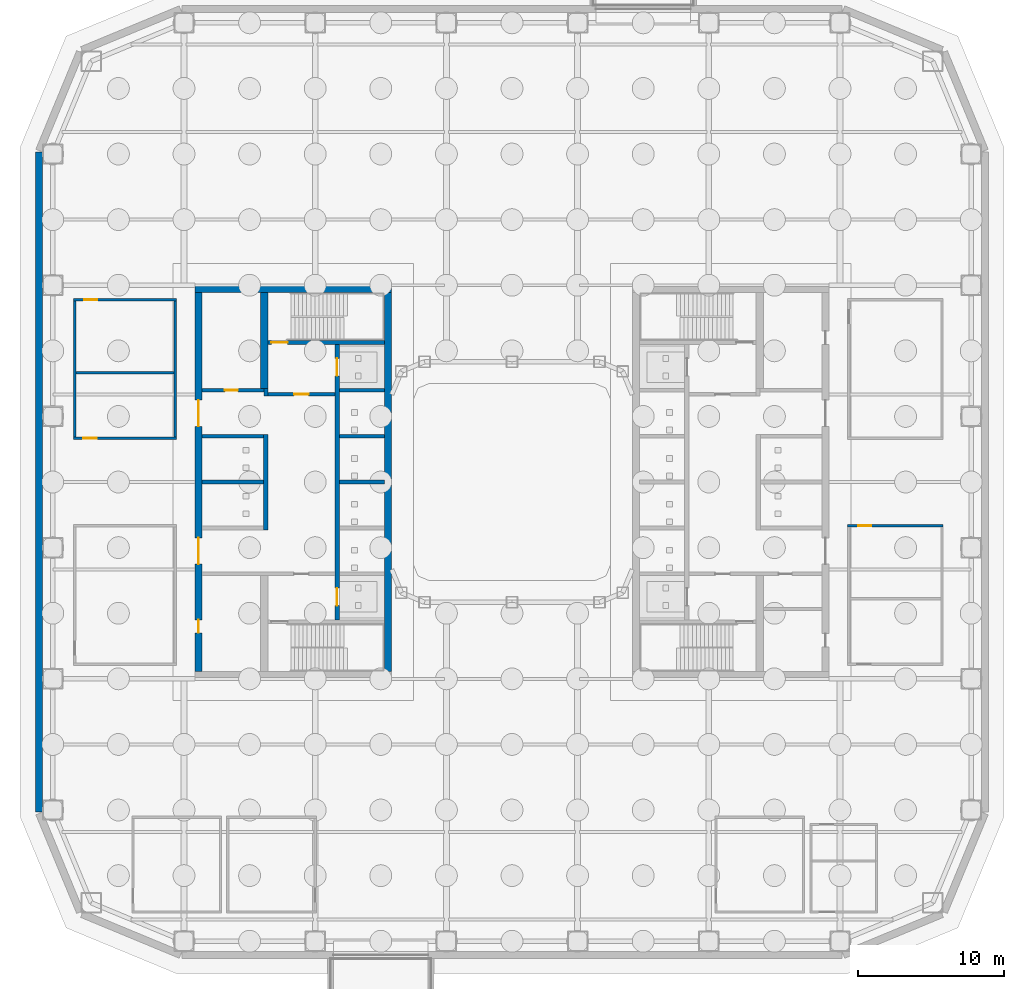
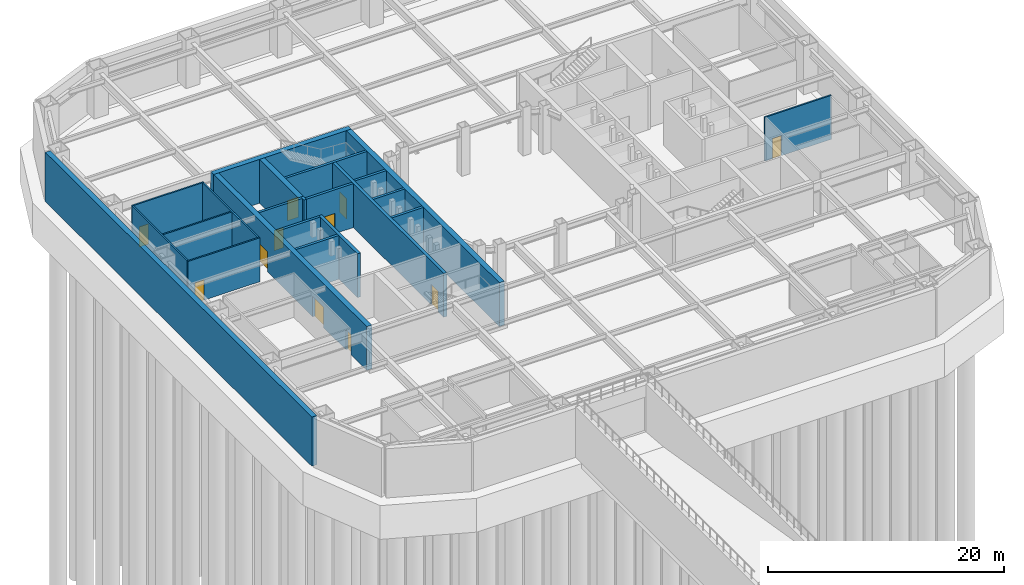
# One storey, part 5 of 10: 22 walls, 11 doors, 11 openings.
"""IFC4 building model written with IfcOpenShell, lengths in metres."""

from ifc_helpers import new_model, si_unit, direction, frame, frame_2d, origin, place, context, subcontext, project, spatial, rectangle, extrude, material, layer, layer_set, type_object, element, fill, save


model = new_model("IFC4")

# Units and contexts
model_context = context("Model", 3, precision=1e-05, world=origin(), true_north=direction((0.0, 1.0)))
body_context = subcontext(model_context, "Body", "Model", "MODEL_VIEW")
ifc_project = project(units=[si_unit("LENGTHUNIT", "METRE"), si_unit("AREAUNIT", "SQUARE_METRE"), si_unit("VOLUMEUNIT", "CUBIC_METRE"), si_unit("PLANEANGLEUNIT", "RADIAN"), si_unit("MASSUNIT", "GRAM", prefix="KILO")], contexts=[model_context])

# Site, building, storey
site_placement = place(None, origin())
site = spatial("IfcSite", under=ifc_project, at=site_placement, CompositionType="ELEMENT")
building_placement = place(site_placement, origin())
building = spatial("IfcBuilding", under=site, at=building_placement, Name="Siwar Civic Tower", CompositionType="ELEMENT")
storey_placement = place(building_placement, frame((0.0, 0.0, -5.0)))
storey = spatial("IfcBuildingStorey", under=building, at=storey_placement, Name="B1", CompositionType="ELEMENT", Elevation=-5.0)

# Wall, opening, door
ifc_material_1 = material(Name="Gypsum board on steel studs", Category="steel")
ifc_layer_1 = layer(ifc_material_1, 0.14990234375)
ifc_layer_set_1 = layer_set([ifc_layer_1], Name="Gypsum board on steel studs")
wall_type_1 = type_object("IfcWallType", Name="COMPARTMENT PARTITION 150 EI 60", PredefinedType="PARTITIONING", material=ifc_layer_set_1)
wall_1_placement = place(storey_placement, frame((23.02490234375, -3.0, 0.0), z_axis=(0.0, 0.0, 1.0), x_axis=(1.0, 0.0, 0.0)))
wall_1 = element("IfcWall", 1, at=wall_1_placement, inside=storey, type_object=wall_type_1, Name="B1/wall/P14", PredefinedType="PARTITIONING", context=body_context, shape_type="SweptSolid", body=[
    extrude(rectangle(XDim=6.550048828125, YDim=0.14990234375, at=frame_2d((3.27490234375, 0.0))), origin(), (0.0, 0.0, 1.0), 4.550048828125),
])
opening_1_placement = place(wall_1_placement, frame((0.72509765625, 0.0, 0.0)))
opening_1 = element("IfcOpeningElement", 2, at=opening_1_placement, cuts=wall_1, Name="Opening D4", PredefinedType="OPENING", context=body_context, shape_type="SweptSolid", body=[
    extrude(rectangle(XDim=0.89990234375, YDim=2.10009765625, at=frame_2d((0.449951171875, 1.050048828125))), frame((0.0, 0.0849609375, 0.0), z_axis=(0.0, -1.0, 0.0), x_axis=(1.0, 0.0, 0.0)), (0.0, 0.0, 1.0), 0.169921875),
])
ifc_material_2 = material(Name="Timber, painted", Category="wood")
door_type_1 = type_object("IfcDoorType", Name="DOOR 900 X 2100 FD60", OperationType="SINGLE_SWING_LEFT", PredefinedType="DOOR", material=ifc_material_2)
door_1_placement = place(opening_1_placement, origin())
door_1 = element("IfcDoor", 3, at=door_1_placement, inside=storey, type_object=door_type_1, Name="B1-D05", OperationType="SINGLE_SWING_LEFT", OverallHeight=2.10009765625, OverallWidth=0.89990234375, PredefinedType="DOOR", context=body_context, shape_type="SweptSolid", body=[
    extrude(rectangle(XDim=0.89990234375, YDim=2.10009765625, at=frame_2d((0.449951171875, 1.050048828125))), frame((0.0, 0.02490234375, 0.0), z_axis=(0.0, -1.0, 0.0), x_axis=(1.0, 0.0, 0.0)), (0.0, 0.0, 1.0), 0.050048828125),
])
fill(opening_1, door_1)

wall_2_placement = place(storey_placement, frame((-30.074951171875, 3.0, 0.0), z_axis=(0.0, 0.0, 1.0), x_axis=(1.0, 0.0, 0.0)))
wall_2 = element("IfcWall", 4, at=wall_2_placement, inside=storey, type_object=wall_type_1, Name="B1/wall/P15", PredefinedType="PARTITIONING", context=body_context, shape_type="SweptSolid", body=[
    extrude(rectangle(XDim=7.050048828125, YDim=0.14990234375, at=frame_2d((3.52490234375, 0.0))), origin(), (0.0, 0.0, 1.0), 4.550048828125),
])
opening_2_placement = place(wall_2_placement, frame((0.675048828125, 0.0, 0.0)))
opening_2 = element("IfcOpeningElement", 5, at=opening_2_placement, cuts=wall_2, Name="Opening D4", PredefinedType="OPENING", context=body_context, shape_type="SweptSolid", body=[
    extrude(rectangle(XDim=0.89990234375, YDim=2.10009765625, at=frame_2d((0.449951171875, 1.050048828125))), frame((0.0, 0.0849609375, 0.0), z_axis=(0.0, -1.0, 0.0), x_axis=(1.0, 0.0, 0.0)), (0.0, 0.0, 1.0), 0.169921875),
])
door_2_placement = place(opening_2_placement, origin())
door_2 = element("IfcDoor", 6, at=door_2_placement, inside=storey, type_object=door_type_1, Name="B1-D02", OperationType="SINGLE_SWING_RIGHT", OverallHeight=2.10009765625, OverallWidth=0.89990234375, PredefinedType="DOOR", context=body_context, shape_type="SweptSolid", body=[
    extrude(rectangle(XDim=0.89990234375, YDim=2.10009765625, at=frame_2d((0.449951171875, 1.050048828125))), frame((0.0, 0.02490234375, 0.0), z_axis=(0.0, -1.0, 0.0), x_axis=(1.0, 0.0, 0.0)), (0.0, 0.0, 1.0), 0.050048828125),
])
fill(opening_2, door_2)

# Wall
wall_3_placement = place(storey_placement, frame((-29.925048828125, 7.5, 0.0), z_axis=(0.0, 0.0, 1.0), x_axis=(1.0, 0.0, 0.0)))
element("IfcWall", 7, at=wall_3_placement, inside=storey, type_object=wall_type_1, Name="B1/wall/P17", PredefinedType="PARTITIONING", context=body_context, shape_type="SweptSolid", body=[
    extrude(rectangle(XDim=6.75, YDim=0.14990234375, at=frame_2d((3.375, 0.0))), origin(), (0.0, 0.0, 1.0), 4.550048828125),
])

# Wall, opening, door
wall_4_placement = place(storey_placement, frame((-30.074951171875, 12.5, 0.0), z_axis=(0.0, 0.0, 1.0), x_axis=(1.0, 0.0, 0.0)))
wall_4 = element("IfcWall", 8, at=wall_4_placement, inside=storey, type_object=wall_type_1, Name="B1/wall/P18", PredefinedType="PARTITIONING", context=body_context, shape_type="SweptSolid", body=[
    extrude(rectangle(XDim=7.050048828125, YDim=0.14990234375, at=frame_2d((3.52490234375, 0.0))), origin(), (0.0, 0.0, 1.0), 4.550048828125),
])
opening_3_placement = place(wall_4_placement, frame((0.72509765625, 0.0, 0.0)))
opening_3 = element("IfcOpeningElement", 9, at=opening_3_placement, cuts=wall_4, Name="Opening D4", PredefinedType="OPENING", context=body_context, shape_type="SweptSolid", body=[
    extrude(rectangle(XDim=0.89990234375, YDim=2.10009765625, at=frame_2d((0.449951171875, 1.050048828125))), frame((0.0, 0.0849609375, 0.0), z_axis=(0.0, -1.0, 0.0), x_axis=(1.0, 0.0, 0.0)), (0.0, 0.0, 1.0), 0.169921875),
])
door_3_placement = place(opening_3_placement, origin())
door_3 = element("IfcDoor", 10, at=door_3_placement, inside=storey, type_object=door_type_1, Name="B1-D03", OperationType="SINGLE_SWING_LEFT", OverallHeight=2.10009765625, OverallWidth=0.89990234375, PredefinedType="DOOR", context=body_context, shape_type="SweptSolid", body=[
    extrude(rectangle(XDim=0.89990234375, YDim=2.10009765625, at=frame_2d((0.449951171875, 1.050048828125))), frame((0.0, 0.02490234375, 0.0), z_axis=(0.0, -1.0, 0.0), x_axis=(1.0, 0.0, 0.0)), (0.0, 0.0, 1.0), 0.050048828125),
])
fill(opening_3, door_3)

# Walls
for number, where, z_axis, x_axis, name in (
    (11, (-30.0, 3.074951171875, 0.0), (0.0, 0.0, 1.0), (0.0, 1.0, 0.0), "B1/wall/P21"),
    (12, (-23.10009765625, 3.074951171875, 0.0), (0.0, 0.0, 1.0), (0.0, 1.0, 0.0), "B1/wall/P24"),
):
    element("IfcWall", number, at=place(storey_placement, frame(where, z_axis=z_axis, x_axis=x_axis)), inside=storey, type_object=wall_type_1, Name=name, PredefinedType="PARTITIONING", context=body_context, shape_type="SweptSolid", body=[
        extrude(rectangle(XDim=9.35009765625, YDim=0.14990234375, at=frame_2d((4.675048828125, 0.0))), origin(), (0.0, 0.0, 1.0), 4.550048828125),
    ])

# Wall, opening, door
ifc_material_3 = material(Name="Concrete C60/75", Category="concrete")
ifc_layer_2 = layer(ifc_material_3, 0.25)
ifc_layer_set_2 = layer_set([ifc_layer_2], Name="Concrete C60/75")
wall_type_2 = type_object("IfcWallType", Name="CORE-WALL-RC250", PredefinedType="SHEAR", material=ifc_layer_set_2)
wall_5_placement = place(storey_placement, frame((-12.14990234375, 6.02490234375, 0.0), z_axis=(0.0, 0.0, 1.0), x_axis=(-1.0, 0.0, 0.0)))
wall_5 = element("IfcWall", 13, at=wall_5_placement, inside=storey, type_object=wall_type_2, Name="Core wall W", PredefinedType="SHEAR", context=body_context, shape_type="SweptSolid", body=[
    extrude(rectangle(XDim=4.60009765625, YDim=0.25, at=frame_2d((2.300048828125, 0.0))), origin(), (0.0, 0.0, 1.0), 4.550048828125),
])
opening_4_placement = place(wall_5_placement, frame((1.800048828125, 0.0, 0.0)))
opening_4 = element("IfcOpeningElement", 14, at=opening_4_placement, cuts=wall_5, Name="Opening B1-CW01", PredefinedType="OPENING", context=body_context, shape_type="SweptSolid", body=[
    extrude(rectangle(XDim=1.0, YDim=2.10009765625, at=frame_2d((0.5, 1.050048828125))), frame((0.0, 0.135009765625, 0.0), z_axis=(0.0, -1.0, 0.0), x_axis=(1.0, 0.0, 0.0)), (0.0, 0.0, 1.0), 0.27001953125),
])
ifc_material_4 = material(Name="Steel door leaf", Category="steel")
door_type_2 = type_object("IfcDoorType", Name="CORE-DOOR-FD30S", OperationType="SINGLE_SWING_LEFT", PredefinedType="DOOR", material=ifc_material_4)
door_4_placement = place(opening_4_placement, origin())
door_4 = element("IfcDoor", 15, at=door_4_placement, inside=storey, type_object=door_type_2, Name="Firefighting lobby door B1-CW01", OperationType="SINGLE_SWING_LEFT", OverallHeight=2.10009765625, OverallWidth=1.0, PredefinedType="DOOR", context=body_context, shape_type="SweptSolid", body=[
    extrude(rectangle(XDim=1.0, YDim=2.10009765625, at=frame_2d((0.5, 1.050048828125))), frame((0.0, 0.02490234375, 0.0), z_axis=(0.0, -1.0, 0.0), x_axis=(1.0, 0.0, 0.0)), (0.0, 0.0, 1.0), 0.050048828125),
])
fill(opening_4, door_4)

# Wall
wall_6_placement = place(storey_placement, frame((-16.875, 5.89990234375, 0.0), z_axis=(0.0, 0.0, 1.0), x_axis=(0.0, 1.0, 0.0)))
element("IfcWall", 16, at=wall_6_placement, inside=storey, type_object=wall_type_2, Name="Core wall W", PredefinedType="SHEAR", context=body_context, shape_type="SweptSolid", body=[
    extrude(rectangle(XDim=0.525146484375, YDim=0.25, at=frame_2d((0.2626953125, 0.0))), origin(), (0.0, 0.0, 1.0), 4.550048828125),
])

# Wall, opening, door
wall_7_placement = place(storey_placement, frame((-17.0, 6.300048828125, 0.0), z_axis=(0.0, 0.0, 1.0), x_axis=(-1.0, 0.0, 0.0)))
wall_7 = element("IfcWall", 17, at=wall_7_placement, inside=storey, type_object=wall_type_2, Name="Core wall W", PredefinedType="SHEAR", context=body_context, shape_type="SweptSolid", body=[
    extrude(rectangle(XDim=4.25, YDim=0.25, at=frame_2d((2.125, 0.0))), origin(), (0.0, 0.0, 1.0), 4.550048828125),
])
opening_5_placement = place(wall_7_placement, frame((1.800048828125, 0.0, 0.0)))
opening_5 = element("IfcOpeningElement", 18, at=opening_5_placement, cuts=wall_7, Name="Opening B1-CW09", PredefinedType="OPENING", context=body_context, shape_type="SweptSolid", body=[
    extrude(rectangle(XDim=0.89990234375, YDim=2.10009765625, at=frame_2d((0.449951171875, 1.050048828125))), frame((0.0, 0.135009765625, 0.0), z_axis=(0.0, -1.0, 0.0), x_axis=(1.0, 0.0, 0.0)), (0.0, 0.0, 1.0), 0.27001953125),
])
ifc_material_5 = material(Name="Steel door leaf", Category="steel")
door_type_3 = type_object("IfcDoorType", Name="CORE-DOOR-ROOM", OperationType="SINGLE_SWING_LEFT", PredefinedType="DOOR", material=ifc_material_5)
door_5_placement = place(opening_5_placement, origin())
door_5 = element("IfcDoor", 19, at=door_5_placement, inside=storey, type_object=door_type_3, Name="Core room door B1-CW09", OperationType="SINGLE_SWING_LEFT", OverallHeight=2.10009765625, OverallWidth=0.89990234375, PredefinedType="DOOR", context=body_context, shape_type="SweptSolid", body=[
    extrude(rectangle(XDim=0.89990234375, YDim=2.10009765625, at=frame_2d((0.449951171875, 1.050048828125))), frame((0.0, 0.02490234375, 0.0), z_axis=(0.0, -1.0, 0.0), x_axis=(1.0, 0.0, 0.0)), (0.0, 0.0, 1.0), 0.050048828125),
])
fill(opening_5, door_5)

# Walls
for number, where, z_axis, x_axis, name in (
    (20, (-17.050048828125, 0.0, 0.0), (0.0, 0.0, 1.0), (-1.0, 0.0, 0.0), "Core wall W"),
    (21, (-17.050048828125, 3.14990234375, 0.0), (0.0, 0.0, 1.0), (-1.0, 0.0, 0.0), "Core wall W"),
):
    element("IfcWall", number, at=place(storey_placement, frame(where, z_axis=z_axis, x_axis=x_axis)), inside=storey, type_object=wall_type_2, Name=name, PredefinedType="SHEAR", context=body_context, shape_type="SweptSolid", body=[
        extrude(rectangle(XDim=4.199951171875, YDim=0.25, at=frame_2d((2.10009765625, 0.0))), origin(), (0.0, 0.0, 1.0), 4.550048828125),
    ])
for number, where, z_axis, x_axis, name in (
    (22, (-8.75, 0.0, 0.0), (0.0, 0.0, 1.0), (-1.0, 0.0, 0.0), "Core wall W"),
    (23, (-8.75, 3.14990234375, 0.0), (0.0, 0.0, 1.0), (-1.0, 0.0, 0.0), "Core wall W"),
    (24, (-8.75, 6.300048828125, 0.0), (0.0, 0.0, 1.0), (-1.0, 0.0, 0.0), "Core wall W"),
):
    element("IfcWall", number, at=place(storey_placement, frame(where, z_axis=z_axis, x_axis=x_axis)), inside=storey, type_object=wall_type_2, Name=name, PredefinedType="SHEAR", context=body_context, shape_type="SweptSolid", body=[
        extrude(rectangle(XDim=3.10009765625, YDim=0.25, at=frame_2d((1.550048828125, 0.0))), origin(), (0.0, 0.0, 1.0), 4.550048828125),
    ])

# Wall, opening, door
wall_8_placement = place(storey_placement, frame((-8.75, 9.574951171875, 0.0), z_axis=(0.0, 0.0, 1.0), x_axis=(-1.0, 0.0, 0.0)))
wall_8 = element("IfcWall", 25, at=wall_8_placement, inside=storey, type_object=wall_type_2, Name="Core wall W", PredefinedType="SHEAR", context=body_context, shape_type="SweptSolid", body=[
    extrude(rectangle(XDim=8.0, YDim=0.25, at=frame_2d((4.0, 0.0))), origin(), (0.0, 0.0, 1.0), 4.550048828125),
])
opening_6_placement = place(wall_8_placement, frame((6.64990234375, 0.0, 0.0)))
opening_6 = element("IfcOpeningElement", 26, at=opening_6_placement, cuts=wall_8, Name="Opening B1-CW03", PredefinedType="OPENING", context=body_context, shape_type="SweptSolid", body=[
    extrude(rectangle(XDim=1.10009765625, YDim=2.10009765625, at=frame_2d((0.550048828125, 1.050048828125))), frame((0.0, 0.135009765625, 0.0), z_axis=(0.0, -1.0, 0.0), x_axis=(1.0, 0.0, 0.0)), (0.0, 0.0, 1.0), 0.27001953125),
])
ifc_material_6 = material(Name="Steel door leaf", Category="steel")
door_type_4 = type_object("IfcDoorType", Name="CORE-DOOR-FD60S", OperationType="SINGLE_SWING_LEFT", PredefinedType="DOOR", material=ifc_material_6)
door_6_placement = place(opening_6_placement, origin())
door_6 = element("IfcDoor", 27, at=door_6_placement, inside=storey, type_object=door_type_4, Name="Stair door B1-CW03", OperationType="SINGLE_SWING_RIGHT", OverallHeight=2.10009765625, OverallWidth=1.10009765625, PredefinedType="DOOR", context=body_context, shape_type="SweptSolid", body=[
    extrude(rectangle(XDim=1.10009765625, YDim=2.10009765625, at=frame_2d((0.550048828125, 1.050048828125))), frame((0.0, 0.02490234375, 0.0), z_axis=(0.0, -1.0, 0.0), x_axis=(1.0, 0.0, 0.0)), (0.0, 0.0, 1.0), 0.050048828125),
])
fill(opening_6, door_6)

# Wall, openings, doors
ifc_material_7 = material(Name="Concrete C60/75", Category="concrete")
ifc_layer_3 = layer(ifc_material_7, 0.300048828125)
ifc_layer_set_3 = layer_set([ifc_layer_3], Name="Concrete C60/75")
wall_type_3 = type_object("IfcWallType", Name="CORE-WALL-RC300", PredefinedType="SHEAR", material=ifc_layer_set_3)
wall_9_placement = place(storey_placement, frame((-12.0, -9.449951171875, 0.0), z_axis=(0.0, 0.0, 1.0), x_axis=(0.0, 1.0, 0.0)))
wall_9 = element("IfcWall", 28, at=wall_9_placement, inside=storey, type_object=wall_type_3, Name="Core wall W", PredefinedType="SHEAR", context=body_context, shape_type="SweptSolid", body=[
    extrude(rectangle(XDim=18.89990234375, YDim=0.300048828125, at=frame_2d((9.449951171875, 0.0))), origin(), (0.0, 0.0, 1.0), 4.550048828125),
])
opening_7_placement = place(wall_9_placement, frame((16.72509765625, 0.0, 0.0)))
opening_7 = element("IfcOpeningElement", 29, at=opening_7_placement, cuts=wall_9, Name="Opening B1-CW07", PredefinedType="OPENING", context=body_context, shape_type="SweptSolid", body=[
    extrude(rectangle(XDim=1.199951171875, YDim=2.10009765625, at=frame_2d((0.60009765625, 1.050048828125))), frame((0.0, 0.16015625, 0.0), z_axis=(0.0, -1.0, 0.0), x_axis=(1.0, 0.0, 0.0)), (0.0, 0.0, 1.0), 0.320068359375),
])
opening_8_placement = place(wall_9_placement, frame((0.97509765625, 0.0, 0.0)))
opening_8 = element("IfcOpeningElement", 30, at=opening_8_placement, cuts=wall_9, Name="Opening B1-CW08", PredefinedType="OPENING", context=body_context, shape_type="SweptSolid", body=[
    extrude(rectangle(XDim=1.199951171875, YDim=2.10009765625, at=frame_2d((0.60009765625, 1.050048828125))), frame((0.0, 0.16015625, 0.0), z_axis=(0.0, -1.0, 0.0), x_axis=(1.0, 0.0, 0.0)), (0.0, 0.0, 1.0), 0.320068359375),
])
ifc_material_8 = material(Name="Steel door leaf", Category="steel")
door_type_5 = type_object("IfcDoorType", Name="CORE-DOOR-LDW", OperationType="DOUBLE_DOOR_SLIDING", PredefinedType="DOOR", material=ifc_material_8)
door_7_placement = place(opening_7_placement, origin())
door_7 = element("IfcDoor", 31, at=door_7_placement, inside=storey, type_object=door_type_5, Name="Landing door FF1 B1-CW07", OperationType="DOUBLE_DOOR_SLIDING", OverallHeight=2.10009765625, OverallWidth=1.199951171875, PredefinedType="DOOR", context=body_context, shape_type="SweptSolid", body=[
    extrude(rectangle(XDim=1.199951171875, YDim=2.10009765625, at=frame_2d((0.60009765625, 1.050048828125))), frame((0.0, 0.02490234375, 0.0), z_axis=(0.0, -1.0, 0.0), x_axis=(1.0, 0.0, 0.0)), (0.0, 0.0, 1.0), 0.050048828125),
])
fill(opening_7, door_7)
door_8_placement = place(opening_8_placement, origin())
door_8 = element("IfcDoor", 32, at=door_8_placement, inside=storey, type_object=door_type_5, Name="Landing door SV1 B1-CW08", OperationType="DOUBLE_DOOR_SLIDING", OverallHeight=2.10009765625, OverallWidth=1.199951171875, PredefinedType="DOOR", context=body_context, shape_type="SweptSolid", body=[
    extrude(rectangle(XDim=1.199951171875, YDim=2.10009765625, at=frame_2d((0.60009765625, 1.050048828125))), frame((0.0, 0.02490234375, 0.0), z_axis=(0.0, -1.0, 0.0), x_axis=(1.0, 0.0, 0.0)), (0.0, 0.0, 1.0), 0.050048828125),
])
fill(opening_8, door_8)

# Wall
wall_10_placement = place(storey_placement, frame((-16.89990234375, -3.27490234375, 0.0), z_axis=(0.0, 0.0, 1.0), x_axis=(0.0, 1.0, 0.0)))
element("IfcWall", 33, at=wall_10_placement, inside=storey, type_object=wall_type_3, Name="Core wall W", PredefinedType="SHEAR", context=body_context, shape_type="SweptSolid", body=[
    extrude(rectangle(XDim=6.5498046875, YDim=0.300048828125, at=frame_2d((3.27490234375, 0.0))), origin(), (0.0, 0.0, 1.0), 4.550048828125),
])

# Wall, openings, doors
ifc_material_9 = material(Name="Concrete C60/75", Category="concrete")
ifc_layer_4 = layer(ifc_material_9, 0.5)
ifc_layer_set_4 = layer_set([ifc_layer_4], Name="Concrete C60/75")
wall_type_4 = type_object("IfcWallType", Name="CORE-WALL-RC500", PredefinedType="SHEAR", material=ifc_layer_set_4)
wall_11_placement = place(storey_placement, frame((-21.5, -13.0, 0.0), z_axis=(0.0, 0.0, 1.0), x_axis=(0.0, 1.0, 0.0)))
wall_11 = element("IfcWall", 34, at=wall_11_placement, inside=storey, type_object=wall_type_4, Name="Core wall W", PredefinedType="SHEAR", context=body_context, shape_type="SweptSolid", body=[
    extrude(rectangle(XDim=26.0, YDim=0.5, at=frame_2d((13.0, 0.0))), origin(), (0.0, 0.0, 1.0), 4.550048828125),
])
opening_9_placement = place(wall_11_placement, frame((16.824951171875, 0.0, 0.0)))
opening_9 = element("IfcOpeningElement", 35, at=opening_9_placement, cuts=wall_11, Name="Opening B1-CW05", PredefinedType="OPENING", context=body_context, shape_type="SweptSolid", body=[
    extrude(rectangle(XDim=1.800048828125, YDim=2.10009765625, at=frame_2d((0.89990234375, 1.050048828125))), frame((0.0, 0.260009765625, 0.0), z_axis=(0.0, -1.0, 0.0), x_axis=(1.0, 0.0, 0.0)), (0.0, 0.0, 1.0), 0.52001953125),
])
opening_10_placement = place(wall_11_placement, frame((7.375, 0.0, 0.0)))
opening_10 = element("IfcOpeningElement", 36, at=opening_10_placement, cuts=wall_11, Name="Opening B1-CW06", PredefinedType="OPENING", context=body_context, shape_type="SweptSolid", body=[
    extrude(rectangle(XDim=1.800048828125, YDim=2.10009765625, at=frame_2d((0.89990234375, 1.050048828125))), frame((0.0, 0.260009765625, 0.0), z_axis=(0.0, -1.0, 0.0), x_axis=(1.0, 0.0, 0.0)), (0.0, 0.0, 1.0), 0.52001953125),
])
opening_11_placement = place(wall_11_placement, frame((2.64990234375, 0.0, 0.0)))
opening_11 = element("IfcOpeningElement", 37, at=opening_11_placement, cuts=wall_11, Name="Opening B1-CW10", PredefinedType="OPENING", context=body_context, shape_type="SweptSolid", body=[
    extrude(rectangle(XDim=0.89990234375, YDim=2.10009765625, at=frame_2d((0.449951171875, 1.050048828125))), frame((0.0, 0.260009765625, 0.0), z_axis=(0.0, -1.0, 0.0), x_axis=(1.0, 0.0, 0.0)), (0.0, 0.0, 1.0), 0.52001953125),
])
ifc_material_10 = material(Name="Steel door leaf", Category="steel")
door_type_6 = type_object("IfcDoorType", Name="CORE-DOOR-PORT", OperationType="DOUBLE_DOOR_DOUBLE_SWING", PredefinedType="DOOR", material=ifc_material_10)
door_9_placement = place(opening_9_placement, origin())
door_9 = element("IfcDoor", 38, at=door_9_placement, inside=storey, type_object=door_type_6, Name="Core entrance door B1-CW05", OperationType="DOUBLE_DOOR_DOUBLE_SWING", OverallHeight=2.10009765625, OverallWidth=1.800048828125, PredefinedType="DOOR", context=body_context, shape_type="SweptSolid", body=[
    extrude(rectangle(XDim=1.800048828125, YDim=2.10009765625, at=frame_2d((0.89990234375, 1.050048828125))), frame((0.0, 0.02490234375, 0.0), z_axis=(0.0, -1.0, 0.0), x_axis=(1.0, 0.0, 0.0)), (0.0, 0.0, 1.0), 0.050048828125),
])
fill(opening_9, door_9)
door_10_placement = place(opening_10_placement, origin())
door_10 = element("IfcDoor", 39, at=door_10_placement, inside=storey, type_object=door_type_6, Name="Core entrance door B1-CW06", OperationType="DOUBLE_DOOR_DOUBLE_SWING", OverallHeight=2.10009765625, OverallWidth=1.800048828125, PredefinedType="DOOR", context=body_context, shape_type="SweptSolid", body=[
    extrude(rectangle(XDim=1.800048828125, YDim=2.10009765625, at=frame_2d((0.89990234375, 1.050048828125))), frame((0.0, 0.02490234375, 0.0), z_axis=(0.0, -1.0, 0.0), x_axis=(1.0, 0.0, 0.0)), (0.0, 0.0, 1.0), 0.050048828125),
])
fill(opening_10, door_10)
door_11_placement = place(opening_11_placement, origin())
door_11 = element("IfcDoor", 40, at=door_11_placement, inside=storey, type_object=door_type_3, Name="Core room door B1-CW10", OperationType="SINGLE_SWING_LEFT", OverallHeight=2.10009765625, OverallWidth=0.89990234375, PredefinedType="DOOR", context=body_context, shape_type="SweptSolid", body=[
    extrude(rectangle(XDim=0.89990234375, YDim=2.10009765625, at=frame_2d((0.449951171875, 1.050048828125))), frame((0.0, 0.02490234375, 0.0), z_axis=(0.0, -1.0, 0.0), x_axis=(1.0, 0.0, 0.0)), (0.0, 0.0, 1.0), 0.050048828125),
])
fill(opening_11, door_11)

# Walls
wall_12_placement = place(storey_placement, frame((-17.0, 6.425048828125, 0.0), z_axis=(0.0, 0.0, 1.0), x_axis=(0.0, 1.0, 0.0)))
element("IfcWall", 41, at=wall_12_placement, inside=storey, type_object=wall_type_4, Name="Core wall W", PredefinedType="SHEAR", context=body_context, shape_type="SweptSolid", body=[
    extrude(rectangle(XDim=6.574951171875, YDim=0.5, at=frame_2d((3.28759765625, 0.0))), origin(), (0.0, 0.0, 1.0), 4.550048828125),
])
wall_13_placement = place(storey_placement, frame((-8.25, 13.25, 0.0), z_axis=(0.0, 0.0, 1.0), x_axis=(-1.0, 0.0, 0.0)))
element("IfcWall", 42, at=wall_13_placement, inside=storey, type_object=wall_type_4, Name="Core wall W", PredefinedType="SHEAR", context=body_context, shape_type="SweptSolid", body=[
    extrude(rectangle(XDim=13.5, YDim=0.5, at=frame_2d((6.75, 0.0))), origin(), (0.0, 0.0, 1.0), 4.550048828125),
])
ifc_material_11 = material(Name="Concrete C60/75", Category="concrete")
ifc_layer_5 = layer(ifc_material_11, 0.5)
ifc_layer_set_5 = layer_set([ifc_layer_5], Name="Concrete C60/75")
wall_type_5 = type_object("IfcWallType", Name="CORE-WALL-RC500-EXT", PredefinedType="SHEAR", material=ifc_layer_set_5)
wall_14_placement = place(storey_placement, frame((-8.5, -13.0, 0.0), z_axis=(0.0, 0.0, 1.0), x_axis=(0.0, 1.0, 0.0)))
element("IfcWall", 43, at=wall_14_placement, inside=storey, type_object=wall_type_5, Name="Core wall W", PredefinedType="SHEAR", context=body_context, shape_type="SweptSolid", body=[
    extrude(rectangle(XDim=26.0, YDim=0.5, at=frame_2d((13.0, 0.0))), origin(), (0.0, 0.0, 1.0), 4.550048828125),
])
ifc_material_12 = material(Name="Concrete C40/50", Category="concrete")
ifc_layer_6 = layer(ifc_material_12, 0.5)
ifc_layer_set_6 = layer_set([ifc_layer_6], Name="Concrete C40/50")
wall_type_6 = type_object("IfcWallType", Name="GND-RETWALL", PredefinedType="SOLIDWALL", material=ifc_layer_set_6)
wall_15_placement = place(storey_placement, frame((-32.449951171875, 22.63916015625, -0.25), z_axis=(0.0, 0.0, 1.0), x_axis=(0.0, -1.0, 0.0)))
element("IfcWall", 44, at=wall_15_placement, inside=storey, type_object=wall_type_6, Name="B1/wall/ret-10", PredefinedType="SOLIDWALL", context=body_context, shape_type="SweptSolid", body=[
    extrude(rectangle(XDim=45.2783203125, YDim=0.5, at=frame_2d((22.63916015625, 0.0))), origin(), (0.0, 0.0, 1.0), 5.10009765625),
])

save(model, "model.ifc")
